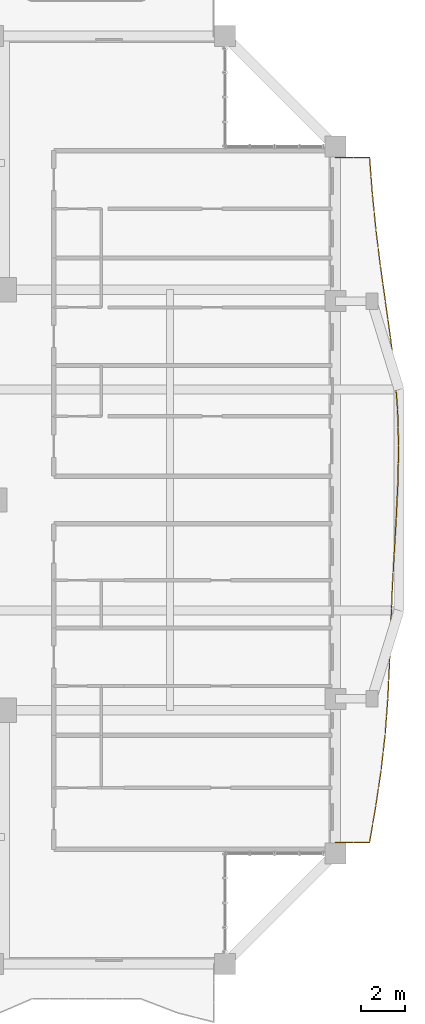
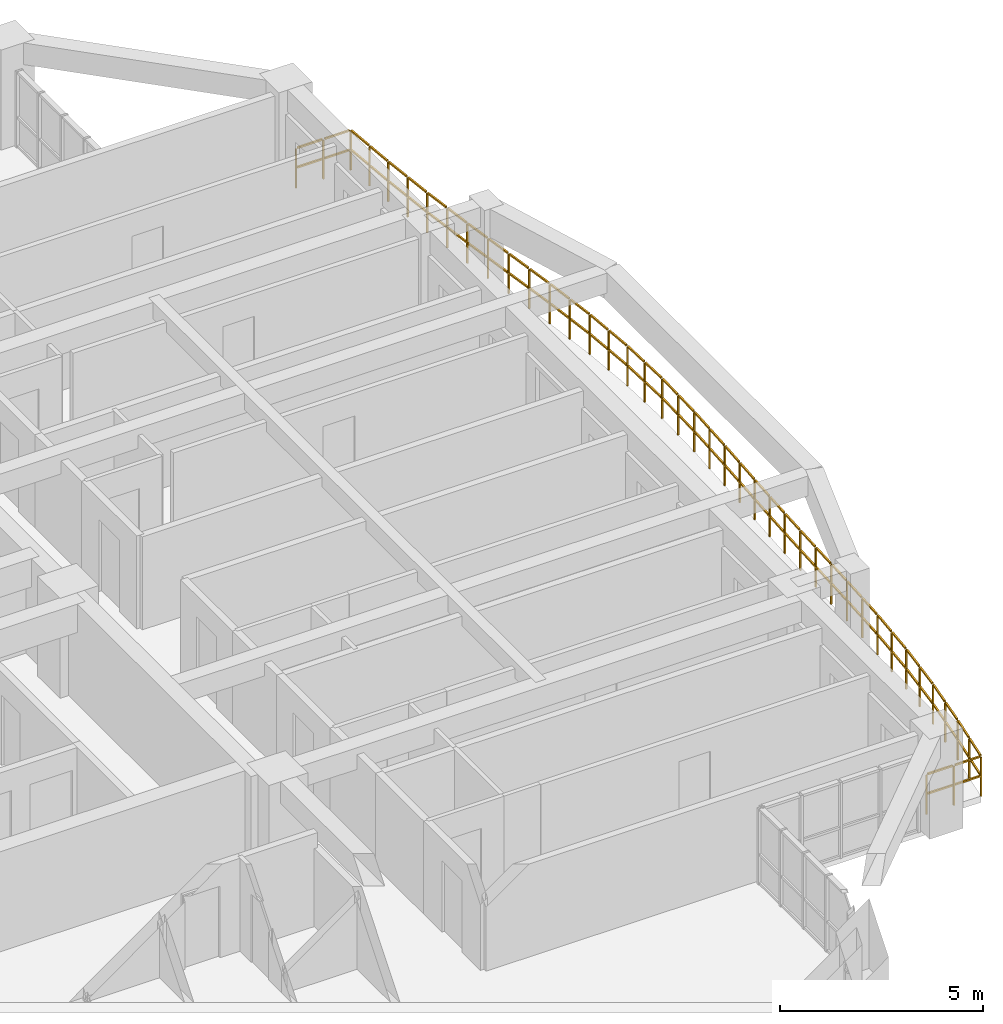
# One storey, part 23 of 24: 1 railing.
"""IFC4 building model written with IfcOpenShell, lengths in metres."""

from ifc_helpers import new_model, si_unit, direction, frame, origin, origin_2d, place, context, subcontext, project, spatial, rectangle, extrude, material, type_object, element, save


model = new_model("IFC4")

# Units and contexts
model_context = context("Model", 3, precision=1e-05, world=origin(), true_north=direction((0.0, 1.0)))
body_context = subcontext(model_context, "Body", "Model", "MODEL_VIEW")
ifc_project = project(units=[si_unit("LENGTHUNIT", "METRE"), si_unit("AREAUNIT", "SQUARE_METRE"), si_unit("VOLUMEUNIT", "CUBIC_METRE"), si_unit("PLANEANGLEUNIT", "RADIAN"), si_unit("MASSUNIT", "GRAM", prefix="KILO")], contexts=[model_context])

# Site, building, storey
site_placement = place(None, origin())
site = spatial("IfcSite", under=ifc_project, at=site_placement, CompositionType="ELEMENT")
building_placement = place(site_placement, origin())
building = spatial("IfcBuilding", under=site, at=building_placement, Name="Saelheon Loggia Tower", CompositionType="ELEMENT")
storey_placement = place(building_placement, frame((0.0, 0.0, 166.0)))
storey = spatial("IfcBuildingStorey", under=building, at=storey_placement, Name="L52", CompositionType="ELEMENT", Elevation=166.0)

# Railing
ifc_material = material(Name="Architectural Precast Concrete and Laminated Glass Guard", Category="concrete")
railing_type = type_object("IfcRailingType", Name="Guard_Loggia_RL_LOG", PredefinedType="BALUSTRADE", material=ifc_material)
railing_placement = place(storey_placement, frame((60.0, 11.5, 0.0)))
element("IfcRailing", 1, at=railing_placement, inside=storey, type_object=railing_type, Name="L52 East Loggia Balustrade", PredefinedType="BALUSTRADE", context=body_context, shape_type="SweptSolid", body=[
    extrude(rectangle(XDim=0.048095703125, YDim=0.048095703125, at=origin_2d()), frame((0.033203125, 0.0, 1.19580078125), z_axis=(1.0, 0.0, 0.0), x_axis=(0.0, 1.0, 0.0)), (0.0, 0.0, 1.0), 0.70849609375),
    extrude(rectangle(XDim=0.048095703125, YDim=0.048095703125, at=origin_2d()), frame((0.033203125, 0.0, 0.60986328125), z_axis=(1.0, 0.0, 0.0), x_axis=(0.0, 1.0, 0.0)), (0.0, 0.0, 1.0), 0.70849609375),
    extrude(rectangle(XDim=0.048095703125, YDim=0.048095703125, at=origin_2d()), frame((0.808349609375, 0.0, 1.19580078125), z_axis=(1.0, 0.0, 0.0), x_axis=(0.0, 1.0, 0.0)), (0.0, 0.0, 1.0), 0.70849609375),
    extrude(rectangle(XDim=0.048095703125, YDim=0.048095703125, at=origin_2d()), frame((0.808349609375, 0.0, 0.60986328125), z_axis=(1.0, 0.0, 0.0), x_axis=(0.0, 1.0, 0.0)), (0.0, 0.0, 1.0), 0.70849609375),
    extrude(rectangle(XDim=0.048095703125, YDim=0.048095703125, at=origin_2d()), frame((1.5556640625, 0.03271484375, 1.19580078125), z_axis=(0.168583084277, 0.985687447265, 0.0), x_axis=(-0.985687447265, 0.168583084277, 0.0)), (0.0, 0.0, 1.0), 0.76123046875),
    extrude(rectangle(XDim=0.048095703125, YDim=0.048095703125, at=origin_2d()), frame((1.5556640625, 0.03271484375, 0.60986328125), z_axis=(0.168583084277, 0.985687447265, 0.0), x_axis=(-0.985687447265, 0.168583084277, 0.0)), (0.0, 0.0, 1.0), 0.76123046875),
    extrude(rectangle(XDim=0.048095703125, YDim=0.048095703125, at=origin_2d()), frame((1.695068359375, 0.8486328125, 1.19580078125), z_axis=(0.168583084277, 0.985687447265, 0.0), x_axis=(-0.985687447265, 0.168583084277, 0.0)), (0.0, 0.0, 1.0), 0.76123046875),
    extrude(rectangle(XDim=0.048095703125, YDim=0.048095703125, at=origin_2d()), frame((1.695068359375, 0.8486328125, 0.60986328125), z_axis=(0.168583084277, 0.985687447265, 0.0), x_axis=(-0.985687447265, 0.168583084277, 0.0)), (0.0, 0.0, 1.0), 0.76123046875),
    extrude(rectangle(XDim=0.048095703125, YDim=0.048095703125, at=origin_2d()), frame((1.833984375, 1.66455078125, 1.19580078125), z_axis=(0.147262012595, 0.989097517764, 0.0), x_axis=(-0.989097517764, 0.147262012595, 0.0)), (0.0, 0.0, 1.0), 0.75830078125),
    extrude(rectangle(XDim=0.048095703125, YDim=0.048095703125, at=origin_2d()), frame((1.833984375, 1.66455078125, 0.60986328125), z_axis=(0.147262012595, 0.989097517764, 0.0), x_axis=(-0.989097517764, 0.147262012595, 0.0)), (0.0, 0.0, 1.0), 0.75830078125),
    extrude(rectangle(XDim=0.048095703125, YDim=0.048095703125, at=origin_2d()), frame((1.95556640625, 2.480224609375, 1.19580078125), z_axis=(0.147262012595, 0.989097517764, 0.0), x_axis=(-0.989097517764, 0.147262012595, 0.0)), (0.0, 0.0, 1.0), 0.75830078125),
    extrude(rectangle(XDim=0.048095703125, YDim=0.048095703125, at=origin_2d()), frame((1.95556640625, 2.480224609375, 0.60986328125), z_axis=(0.147262012595, 0.989097517764, 0.0), x_axis=(-0.989097517764, 0.147262012595, 0.0)), (0.0, 0.0, 1.0), 0.75830078125),
    extrude(rectangle(XDim=0.048095703125, YDim=0.048095703125, at=origin_2d()), frame((2.07568359375, 3.296142578125, 1.19580078125), z_axis=(0.111671794523, 0.993745143539, 0.0), x_axis=(-0.993745143539, 0.111671794523, 0.0)), (0.0, 0.0, 1.0), 0.75439453125),
    extrude(rectangle(XDim=0.048095703125, YDim=0.048095703125, at=origin_2d()), frame((2.07568359375, 3.296142578125, 0.60986328125), z_axis=(0.111671794523, 0.993745143539, 0.0), x_axis=(-0.993745143539, 0.111671794523, 0.0)), (0.0, 0.0, 1.0), 0.75439453125),
    extrude(rectangle(XDim=0.048095703125, YDim=0.048095703125, at=origin_2d()), frame((2.16748046875, 4.112060546875, 1.19580078125), z_axis=(0.111671794523, 0.993745143539, 0.0), x_axis=(-0.993745143539, 0.111671794523, 0.0)), (0.0, 0.0, 1.0), 0.75439453125),
    extrude(rectangle(XDim=0.048095703125, YDim=0.048095703125, at=origin_2d()), frame((2.16748046875, 4.112060546875, 0.60986328125), z_axis=(0.111671794523, 0.993745143539, 0.0), x_axis=(-0.993745143539, 0.111671794523, 0.0)), (0.0, 0.0, 1.0), 0.75439453125),
    extrude(rectangle(XDim=0.048095703125, YDim=0.048095703125, at=origin_2d()), frame((2.2578125, 4.927978515625, 1.19580078125), z_axis=(0.074162999853, 0.997246132834, 0.0), x_axis=(-0.997246132834, 0.074162999853, 0.0)), (0.0, 0.0, 1.0), 0.75146484375),
    extrude(rectangle(XDim=0.048095703125, YDim=0.048095703125, at=origin_2d()), frame((2.2578125, 4.927978515625, 0.60986328125), z_axis=(0.074162999853, 0.997246132834, 0.0), x_axis=(-0.997246132834, 0.074162999853, 0.0)), (0.0, 0.0, 1.0), 0.75146484375),
    extrude(rectangle(XDim=0.048095703125, YDim=0.048095703125, at=origin_2d()), frame((2.318603515625, 5.74365234375, 1.19580078125), z_axis=(0.074162999853, 0.997246132834, 0.0), x_axis=(-0.997246132834, 0.074162999853, 0.0)), (0.0, 0.0, 1.0), 0.75146484375),
    extrude(rectangle(XDim=0.048095703125, YDim=0.048095703125, at=origin_2d()), frame((2.318603515625, 5.74365234375, 0.60986328125), z_axis=(0.074162999853, 0.997246132834, 0.0), x_axis=(-0.997246132834, 0.074162999853, 0.0)), (0.0, 0.0, 1.0), 0.75146484375),
    extrude(rectangle(XDim=0.048095703125, YDim=0.048095703125, at=origin_2d()), frame((2.378173828125, 6.5595703125, 1.19580078125), z_axis=(0.04633652921, 0.99892588617, 0.0), x_axis=(-0.99892588617, 0.04633652921, 0.0)), (0.0, 0.0, 1.0), 0.750244140625),
    extrude(rectangle(XDim=0.048095703125, YDim=0.048095703125, at=origin_2d()), frame((2.378173828125, 6.5595703125, 0.60986328125), z_axis=(0.04633652921, 0.99892588617, 0.0), x_axis=(-0.99892588617, 0.04633652921, 0.0)), (0.0, 0.0, 1.0), 0.750244140625),
    extrude(rectangle(XDim=0.048095703125, YDim=0.048095703125, at=origin_2d()), frame((2.416015625, 7.375244140625, 1.19580078125), z_axis=(0.04633652921, 0.99892588617, 0.0), x_axis=(-0.99892588617, 0.04633652921, 0.0)), (0.0, 0.0, 1.0), 0.750244140625),
    extrude(rectangle(XDim=0.048095703125, YDim=0.048095703125, at=origin_2d()), frame((2.416015625, 7.375244140625, 0.60986328125), z_axis=(0.04633652921, 0.99892588617, 0.0), x_axis=(-0.99892588617, 0.04633652921, 0.0)), (0.0, 0.0, 1.0), 0.750244140625),
    extrude(rectangle(XDim=0.048095703125, YDim=0.048095703125, at=origin_2d()), frame((2.45361328125, 8.191162109375, 1.19580078125), z_axis=(0.035440836595, 0.999371776218, 0.0), x_axis=(-0.999371776218, 0.035440836595, 0.0)), (0.0, 0.0, 1.0), 0.749755859375),
    extrude(rectangle(XDim=0.048095703125, YDim=0.048095703125, at=origin_2d()), frame((2.45361328125, 8.191162109375, 0.60986328125), z_axis=(0.035440836595, 0.999371776218, 0.0), x_axis=(-0.999371776218, 0.035440836595, 0.0)), (0.0, 0.0, 1.0), 0.749755859375),
    extrude(rectangle(XDim=0.048095703125, YDim=0.048095703125, at=origin_2d()), frame((2.482421875, 9.007080078125, 1.19580078125), z_axis=(0.035440836595, 0.999371776218, 0.0), x_axis=(-0.999371776218, 0.035440836595, 0.0)), (0.0, 0.0, 1.0), 0.749755859375),
    extrude(rectangle(XDim=0.048095703125, YDim=0.048095703125, at=origin_2d()), frame((2.482421875, 9.007080078125, 0.60986328125), z_axis=(0.035440836595, 0.999371776218, 0.0), x_axis=(-0.999371776218, 0.035440836595, 0.0)), (0.0, 0.0, 1.0), 0.749755859375),
    extrude(rectangle(XDim=0.048095703125, YDim=0.048095703125, at=origin_2d()), frame((2.511474609375, 9.82275390625, 1.19580078125), z_axis=(0.039920270214, 0.999202868304, 0.0), x_axis=(-0.999202868304, 0.039920270214, 0.0)), (0.0, 0.0, 1.0), 0.75),
    extrude(rectangle(XDim=0.048095703125, YDim=0.048095703125, at=origin_2d()), frame((2.511474609375, 9.82275390625, 0.60986328125), z_axis=(0.039920270214, 0.999202868304, 0.0), x_axis=(-0.999202868304, 0.039920270214, 0.0)), (0.0, 0.0, 1.0), 0.75),
    extrude(rectangle(XDim=0.048095703125, YDim=0.048095703125, at=origin_2d()), frame((2.544189453125, 10.638671875, 1.19580078125), z_axis=(0.039920270214, 0.999202868304, 0.0), x_axis=(-0.999202868304, 0.039920270214, 0.0)), (0.0, 0.0, 1.0), 0.75),
    extrude(rectangle(XDim=0.048095703125, YDim=0.048095703125, at=origin_2d()), frame((2.544189453125, 10.638671875, 0.60986328125), z_axis=(0.039920270214, 0.999202868304, 0.0), x_axis=(-0.999202868304, 0.039920270214, 0.0)), (0.0, 0.0, 1.0), 0.75),
    extrude(rectangle(XDim=0.048095703125, YDim=0.048095703125, at=origin_2d()), frame((2.5771484375, 11.454345703125, 1.19580078125), z_axis=(0.051264440906, 0.998685114087, 0.0), x_axis=(-0.998685114087, 0.051264440906, 0.0)), (0.0, 0.0, 1.0), 0.750244140625),
    extrude(rectangle(XDim=0.048095703125, YDim=0.048095703125, at=origin_2d()), frame((2.5771484375, 11.454345703125, 0.60986328125), z_axis=(0.051264440906, 0.998685114087, 0.0), x_axis=(-0.998685114087, 0.051264440906, 0.0)), (0.0, 0.0, 1.0), 0.750244140625),
    extrude(rectangle(XDim=0.048095703125, YDim=0.048095703125, at=origin_2d()), frame((2.618896484375, 12.27001953125, 1.19580078125), z_axis=(0.051264440906, 0.998685114087, 0.0), x_axis=(-0.998685114087, 0.051264440906, 0.0)), (0.0, 0.0, 1.0), 0.750244140625),
    extrude(rectangle(XDim=0.048095703125, YDim=0.048095703125, at=origin_2d()), frame((2.618896484375, 12.27001953125, 0.60986328125), z_axis=(0.051264440906, 0.998685114087, 0.0), x_axis=(-0.998685114087, 0.051264440906, 0.0)), (0.0, 0.0, 1.0), 0.750244140625),
    extrude(rectangle(XDim=0.048095703125, YDim=0.048095703125, at=origin_2d()), frame((2.6611328125, 13.085693359375, 1.19580078125), z_axis=(0.057066808054, 0.998370361849, 0.0), x_axis=(-0.998370361849, 0.057066808054, 0.0)), (0.0, 0.0, 1.0), 0.750732421875),
    extrude(rectangle(XDim=0.048095703125, YDim=0.048095703125, at=origin_2d()), frame((2.6611328125, 13.085693359375, 0.60986328125), z_axis=(0.057066808054, 0.998370361849, 0.0), x_axis=(-0.998370361849, 0.057066808054, 0.0)), (0.0, 0.0, 1.0), 0.750732421875),
    extrude(rectangle(XDim=0.048095703125, YDim=0.048095703125, at=origin_2d()), frame((2.707763671875, 13.9013671875, 1.19580078125), z_axis=(0.057066808054, 0.998370361849, 0.0), x_axis=(-0.998370361849, 0.057066808054, 0.0)), (0.0, 0.0, 1.0), 0.750732421875),
    extrude(rectangle(XDim=0.048095703125, YDim=0.048095703125, at=origin_2d()), frame((2.707763671875, 13.9013671875, 0.60986328125), z_axis=(0.057066808054, 0.998370361849, 0.0), x_axis=(-0.998370361849, 0.057066808054, 0.0)), (0.0, 0.0, 1.0), 0.750732421875),
    extrude(rectangle(XDim=0.048095703125, YDim=0.048095703125, at=origin_2d()), frame((2.75390625, 14.71728515625, 1.19580078125), z_axis=(0.047373442202, 0.998877248201, 0.0), x_axis=(-0.998877248201, 0.047373442202, 0.0)), (0.0, 0.0, 1.0), 0.75048828125),
    extrude(rectangle(XDim=0.048095703125, YDim=0.048095703125, at=origin_2d()), frame((2.75390625, 14.71728515625, 0.60986328125), z_axis=(0.047373442202, 0.998877248201, 0.0), x_axis=(-0.998877248201, 0.047373442202, 0.0)), (0.0, 0.0, 1.0), 0.75048828125),
    extrude(rectangle(XDim=0.048095703125, YDim=0.048095703125, at=origin_2d()), frame((2.792724609375, 15.533203125, 1.19580078125), z_axis=(0.047373442202, 0.998877248201, 0.0), x_axis=(-0.998877248201, 0.047373442202, 0.0)), (0.0, 0.0, 1.0), 0.75048828125),
    extrude(rectangle(XDim=0.048095703125, YDim=0.048095703125, at=origin_2d()), frame((2.792724609375, 15.533203125, 0.60986328125), z_axis=(0.047373442202, 0.998877248201, 0.0), x_axis=(-0.998877248201, 0.047373442202, 0.0)), (0.0, 0.0, 1.0), 0.75048828125),
    extrude(rectangle(XDim=0.048095703125, YDim=0.048095703125, at=origin_2d()), frame((2.830322265625, 16.34912109375, 1.19580078125), z_axis=(0.017803552147, 0.999841504205, 0.0), x_axis=(-0.999841504205, 0.017803552147, 0.0)), (0.0, 0.0, 1.0), 0.74951171875),
    extrude(rectangle(XDim=0.048095703125, YDim=0.048095703125, at=origin_2d()), frame((2.830322265625, 16.34912109375, 0.60986328125), z_axis=(0.017803552147, 0.999841504205, 0.0), x_axis=(-0.999841504205, 0.017803552147, 0.0)), (0.0, 0.0, 1.0), 0.74951171875),
    extrude(rectangle(XDim=0.048095703125, YDim=0.048095703125, at=origin_2d()), frame((2.844970703125, 17.1650390625, 1.19580078125), z_axis=(0.017803552147, 0.999841504205, 0.0), x_axis=(-0.999841504205, 0.017803552147, 0.0)), (0.0, 0.0, 1.0), 0.74951171875),
    extrude(rectangle(XDim=0.048095703125, YDim=0.048095703125, at=origin_2d()), frame((2.844970703125, 17.1650390625, 0.60986328125), z_axis=(0.017803552147, 0.999841504205, 0.0), x_axis=(-0.999841504205, 0.017803552147, 0.0)), (0.0, 0.0, 1.0), 0.74951171875),
    extrude(rectangle(XDim=0.048095703125, YDim=0.048095703125, at=origin_2d()), frame((2.85791015625, 17.980712890625, 1.19580078125), z_axis=(-0.027077766049, 0.999633330069, 0.0), x_axis=(-0.999633330069, -0.027077766049, 0.0)), (0.0, 0.0, 1.0), 0.74951171875),
    extrude(rectangle(XDim=0.048095703125, YDim=0.048095703125, at=origin_2d()), frame((2.85791015625, 17.980712890625, 0.60986328125), z_axis=(-0.027077766049, 0.999633330069, 0.0), x_axis=(-0.999633330069, -0.027077766049, 0.0)), (0.0, 0.0, 1.0), 0.74951171875),
    extrude(rectangle(XDim=0.048095703125, YDim=0.048095703125, at=origin_2d()), frame((2.8359375, 18.79638671875, 1.19580078125), z_axis=(-0.027077766049, 0.999633330069, 0.0), x_axis=(-0.999633330069, -0.027077766049, 0.0)), (0.0, 0.0, 1.0), 0.74951171875),
    extrude(rectangle(XDim=0.048095703125, YDim=0.048095703125, at=origin_2d()), frame((2.8359375, 18.79638671875, 0.60986328125), z_axis=(-0.027077766049, 0.999633330069, 0.0), x_axis=(-0.999633330069, -0.027077766049, 0.0)), (0.0, 0.0, 1.0), 0.74951171875),
    extrude(rectangle(XDim=0.048095703125, YDim=0.048095703125, at=origin_2d()), frame((2.812255859375, 19.612060546875, 1.19580078125), z_axis=(-0.07668509002, 0.997055363041, 0.0), x_axis=(-0.997055363041, -0.07668509002, 0.0)), (0.0, 0.0, 1.0), 0.751708984375),
    extrude(rectangle(XDim=0.048095703125, YDim=0.048095703125, at=origin_2d()), frame((2.812255859375, 19.612060546875, 0.60986328125), z_axis=(-0.07668509002, 0.997055363041, 0.0), x_axis=(-0.997055363041, -0.07668509002, 0.0)), (0.0, 0.0, 1.0), 0.751708984375),
    extrude(rectangle(XDim=0.048095703125, YDim=0.048095703125, at=origin_2d()), frame((2.74951171875, 20.427734375, 1.19580078125), z_axis=(-0.07668509002, 0.997055363041, 0.0), x_axis=(-0.997055363041, -0.07668509002, 0.0)), (0.0, 0.0, 1.0), 0.751708984375),
    extrude(rectangle(XDim=0.048095703125, YDim=0.048095703125, at=origin_2d()), frame((2.74951171875, 20.427734375, 0.60986328125), z_axis=(-0.07668509002, 0.997055363041, 0.0), x_axis=(-0.997055363041, -0.07668509002, 0.0)), (0.0, 0.0, 1.0), 0.751708984375),
    extrude(rectangle(XDim=0.048095703125, YDim=0.048095703125, at=origin_2d()), frame((2.685302734375, 21.243408203125, 1.19580078125), z_axis=(-0.117393022893, 0.993085534169, 0.0), x_axis=(-0.993085534169, -0.117393022893, 0.0)), (0.0, 0.0, 1.0), 0.755126953125),
    extrude(rectangle(XDim=0.048095703125, YDim=0.048095703125, at=origin_2d()), frame((2.685302734375, 21.243408203125, 0.60986328125), z_axis=(-0.117393022893, 0.993085534169, 0.0), x_axis=(-0.993085534169, -0.117393022893, 0.0)), (0.0, 0.0, 1.0), 0.755126953125),
    extrude(rectangle(XDim=0.048095703125, YDim=0.048095703125, at=origin_2d()), frame((2.5888671875, 22.059326171875, 1.19580078125), z_axis=(-0.117393022893, 0.993085534169, 0.0), x_axis=(-0.993085534169, -0.117393022893, 0.0)), (0.0, 0.0, 1.0), 0.755126953125),
    extrude(rectangle(XDim=0.048095703125, YDim=0.048095703125, at=origin_2d()), frame((2.5888671875, 22.059326171875, 0.60986328125), z_axis=(-0.117393022893, 0.993085534169, 0.0), x_axis=(-0.993085534169, -0.117393022893, 0.0)), (0.0, 0.0, 1.0), 0.755126953125),
    extrude(rectangle(XDim=0.048095703125, YDim=0.048095703125, at=origin_2d()), frame((2.49169921875, 22.875, 1.19580078125), z_axis=(-0.138848404574, 0.990313647562, 0.0), x_axis=(-0.990313647562, -0.138848404574, 0.0)), (0.0, 0.0, 1.0), 0.75732421875),
    extrude(rectangle(XDim=0.048095703125, YDim=0.048095703125, at=origin_2d()), frame((2.49169921875, 22.875, 0.60986328125), z_axis=(-0.138848404574, 0.990313647562, 0.0), x_axis=(-0.990313647562, -0.138848404574, 0.0)), (0.0, 0.0, 1.0), 0.75732421875),
    extrude(rectangle(XDim=0.048095703125, YDim=0.048095703125, at=origin_2d()), frame((2.37744140625, 23.690673828125, 1.19580078125), z_axis=(-0.138848404574, 0.990313647562, 0.0), x_axis=(-0.990313647562, -0.138848404574, 0.0)), (0.0, 0.0, 1.0), 0.75732421875),
    extrude(rectangle(XDim=0.048095703125, YDim=0.048095703125, at=origin_2d()), frame((2.37744140625, 23.690673828125, 0.60986328125), z_axis=(-0.138848404574, 0.990313647562, 0.0), x_axis=(-0.990313647562, -0.138848404574, 0.0)), (0.0, 0.0, 1.0), 0.75732421875),
    extrude(rectangle(XDim=0.048095703125, YDim=0.048095703125, at=origin_2d()), frame((2.262939453125, 24.506591796875, 1.19580078125), z_axis=(-0.138993727262, 0.990293261505, 0.0), x_axis=(-0.990293261505, -0.138993727262, 0.0)), (0.0, 0.0, 1.0), 0.75732421875),
    extrude(rectangle(XDim=0.048095703125, YDim=0.048095703125, at=origin_2d()), frame((2.262939453125, 24.506591796875, 0.60986328125), z_axis=(-0.138993727262, 0.990293261505, 0.0), x_axis=(-0.990293261505, -0.138993727262, 0.0)), (0.0, 0.0, 1.0), 0.75732421875),
    extrude(rectangle(XDim=0.048095703125, YDim=0.048095703125, at=origin_2d()), frame((2.1484375, 25.322265625, 1.19580078125), z_axis=(-0.138993727262, 0.990293261505, 0.0), x_axis=(-0.990293261505, -0.138993727262, 0.0)), (0.0, 0.0, 1.0), 0.75732421875),
    extrude(rectangle(XDim=0.048095703125, YDim=0.048095703125, at=origin_2d()), frame((2.1484375, 25.322265625, 0.60986328125), z_axis=(-0.138993727262, 0.990293261505, 0.0), x_axis=(-0.990293261505, -0.138993727262, 0.0)), (0.0, 0.0, 1.0), 0.75732421875),
    extrude(rectangle(XDim=0.048095703125, YDim=0.048095703125, at=origin_2d()), frame((2.034423828125, 26.13818359375, 1.19580078125), z_axis=(-0.122224972711, 0.992502421179, 0.0), x_axis=(-0.992502421179, -0.122224972711, 0.0)), (0.0, 0.0, 1.0), 0.75537109375),
    extrude(rectangle(XDim=0.048095703125, YDim=0.048095703125, at=origin_2d()), frame((2.034423828125, 26.13818359375, 0.60986328125), z_axis=(-0.122224972711, 0.992502421179, 0.0), x_axis=(-0.992502421179, -0.122224972711, 0.0)), (0.0, 0.0, 1.0), 0.75537109375),
    extrude(rectangle(XDim=0.048095703125, YDim=0.048095703125, at=origin_2d()), frame((1.93408203125, 26.9541015625, 1.19580078125), z_axis=(-0.122224972711, 0.992502421179, 0.0), x_axis=(-0.992502421179, -0.122224972711, 0.0)), (0.0, 0.0, 1.0), 0.75537109375),
    extrude(rectangle(XDim=0.048095703125, YDim=0.048095703125, at=origin_2d()), frame((1.93408203125, 26.9541015625, 0.60986328125), z_axis=(-0.122224972711, 0.992502421179, 0.0), x_axis=(-0.992502421179, -0.122224972711, 0.0)), (0.0, 0.0, 1.0), 0.75537109375),
    extrude(rectangle(XDim=0.048095703125, YDim=0.048095703125, at=origin_2d()), frame((1.83447265625, 27.769775390625, 1.19580078125), z_axis=(-0.099164643461, 0.995071039417, 0.0), x_axis=(-0.995071039417, -0.099164643461, 0.0)), (0.0, 0.0, 1.0), 0.75341796875),
    extrude(rectangle(XDim=0.048095703125, YDim=0.048095703125, at=origin_2d()), frame((1.83447265625, 27.769775390625, 0.60986328125), z_axis=(-0.099164643461, 0.995071039417, 0.0), x_axis=(-0.995071039417, -0.099164643461, 0.0)), (0.0, 0.0, 1.0), 0.75341796875),
    extrude(rectangle(XDim=0.048095703125, YDim=0.048095703125, at=origin_2d()), frame((1.753173828125, 28.585693359375, 1.19580078125), z_axis=(-0.099164643461, 0.995071039417, 0.0), x_axis=(-0.995071039417, -0.099164643461, 0.0)), (0.0, 0.0, 1.0), 0.75341796875),
    extrude(rectangle(XDim=0.048095703125, YDim=0.048095703125, at=origin_2d()), frame((1.753173828125, 28.585693359375, 0.60986328125), z_axis=(-0.099164643461, 0.995071039417, 0.0), x_axis=(-0.995071039417, -0.099164643461, 0.0)), (0.0, 0.0, 1.0), 0.75341796875),
    extrude(rectangle(XDim=0.048095703125, YDim=0.048095703125, at=origin_2d()), frame((1.672607421875, 29.401611328125, 1.19580078125), z_axis=(-0.076388448974, 0.997078133781, 0.0), x_axis=(-0.997078133781, -0.076388448974, 0.0)), (0.0, 0.0, 1.0), 0.751708984375),
    extrude(rectangle(XDim=0.048095703125, YDim=0.048095703125, at=origin_2d()), frame((1.672607421875, 29.401611328125, 0.60986328125), z_axis=(-0.076388448974, 0.997078133781, 0.0), x_axis=(-0.997078133781, -0.076388448974, 0.0)), (0.0, 0.0, 1.0), 0.751708984375),
    extrude(rectangle(XDim=0.048095703125, YDim=0.048095703125, at=origin_2d()), frame((1.610107421875, 30.21728515625, 1.19580078125), z_axis=(-0.076388448974, 0.997078133781, 0.0), x_axis=(-0.997078133781, -0.076388448974, 0.0)), (0.0, 0.0, 1.0), 0.751708984375),
    extrude(rectangle(XDim=0.048095703125, YDim=0.048095703125, at=origin_2d()), frame((1.610107421875, 30.21728515625, 0.60986328125), z_axis=(-0.076388448974, 0.997078133781, 0.0), x_axis=(-0.997078133781, -0.076388448974, 0.0)), (0.0, 0.0, 1.0), 0.751708984375),
    extrude(rectangle(XDim=0.048095703125, YDim=0.048095703125, at=origin_2d()), frame((1.516845703125, 31.0, 1.19580078125), z_axis=(-1.0, 0.0, 0.0), x_axis=(0.0, -1.0, 0.0)), (0.0, 0.0, 1.0), 0.70849609375),
    extrude(rectangle(XDim=0.048095703125, YDim=0.048095703125, at=origin_2d()), frame((1.516845703125, 31.0, 0.60986328125), z_axis=(-1.0, 0.0, 0.0), x_axis=(0.0, -1.0, 0.0)), (0.0, 0.0, 1.0), 0.70849609375),
    extrude(rectangle(XDim=0.048095703125, YDim=0.048095703125, at=origin_2d()), frame((0.74169921875, 31.0, 1.19580078125), z_axis=(-1.0, 0.0, 0.0), x_axis=(0.0, -1.0, 0.0)), (0.0, 0.0, 1.0), 0.70849609375),
    extrude(rectangle(XDim=0.048095703125, YDim=0.048095703125, at=origin_2d()), frame((0.74169921875, 31.0, 0.60986328125), z_axis=(-1.0, 0.0, 0.0), x_axis=(0.0, -1.0, 0.0)), (0.0, 0.0, 1.0), 0.70849609375),
    extrude(rectangle(XDim=0.0419921875, YDim=0.0419921875, at=origin_2d()), origin(), (0.0, 0.0, 1.0), 1.16796875),
    extrude(rectangle(XDim=0.0419921875, YDim=0.0419921875, at=origin_2d()), frame((0.77490234375, 0.0, 0.0)), (0.0, 0.0, 1.0), 1.16796875),
    extrude(rectangle(XDim=0.0419921875, YDim=0.0419921875, at=origin_2d()), frame((1.550048828125, 0.0, 0.0)), (0.0, 0.0, 1.0), 1.16796875),
    extrude(rectangle(XDim=0.0419921875, YDim=0.0419921875, at=origin_2d()), frame((1.689453125, 0.81591796875, 0.0)), (0.0, 0.0, 1.0), 1.16796875),
    extrude(rectangle(XDim=0.0419921875, YDim=0.0419921875, at=origin_2d()), frame((1.8291015625, 1.631591796875, 0.0)), (0.0, 0.0, 1.0), 1.16796875),
    extrude(rectangle(XDim=0.0419921875, YDim=0.0419921875, at=origin_2d()), frame((1.95068359375, 2.447265625, 0.0)), (0.0, 0.0, 1.0), 1.16796875),
    extrude(rectangle(XDim=0.0419921875, YDim=0.0419921875, at=origin_2d()), frame((2.072021484375, 3.26318359375, 0.0)), (0.0, 0.0, 1.0), 1.16796875),
    extrude(rectangle(XDim=0.0419921875, YDim=0.0419921875, at=origin_2d()), frame((2.16357421875, 4.0791015625, 0.0)), (0.0, 0.0, 1.0), 1.16796875),
    extrude(rectangle(XDim=0.0419921875, YDim=0.0419921875, at=origin_2d()), frame((2.25537109375, 4.894775390625, 0.0)), (0.0, 0.0, 1.0), 1.16796875),
    extrude(rectangle(XDim=0.0419921875, YDim=0.0419921875, at=origin_2d()), frame((2.31591796875, 5.71044921875, 0.0)), (0.0, 0.0, 1.0), 1.16796875),
    extrude(rectangle(XDim=0.0419921875, YDim=0.0419921875, at=origin_2d()), frame((2.376708984375, 6.5263671875, 0.0)), (0.0, 0.0, 1.0), 1.16796875),
    extrude(rectangle(XDim=0.0419921875, YDim=0.0419921875, at=origin_2d()), frame((2.41455078125, 7.34228515625, 0.0)), (0.0, 0.0, 1.0), 1.16796875),
    extrude(rectangle(XDim=0.0419921875, YDim=0.0419921875, at=origin_2d()), frame((2.452392578125, 8.157958984375, 0.0)), (0.0, 0.0, 1.0), 1.16796875),
    extrude(rectangle(XDim=0.0419921875, YDim=0.0419921875, at=origin_2d()), frame((2.4814453125, 8.9736328125, 0.0)), (0.0, 0.0, 1.0), 1.16796875),
    extrude(rectangle(XDim=0.0419921875, YDim=0.0419921875, at=origin_2d()), frame((2.51025390625, 9.78955078125, 0.0)), (0.0, 0.0, 1.0), 1.16796875),
    extrude(rectangle(XDim=0.0419921875, YDim=0.0419921875, at=origin_2d()), frame((2.54296875, 10.60546875, 0.0)), (0.0, 0.0, 1.0), 1.16796875),
    extrude(rectangle(XDim=0.0419921875, YDim=0.0419921875, at=origin_2d()), frame((2.575439453125, 11.421142578125, 0.0)), (0.0, 0.0, 1.0), 1.16796875),
    extrude(rectangle(XDim=0.0419921875, YDim=0.0419921875, at=origin_2d()), frame((2.6171875, 12.23681640625, 0.0)), (0.0, 0.0, 1.0), 1.16796875),
    extrude(rectangle(XDim=0.0419921875, YDim=0.0419921875, at=origin_2d()), frame((2.6591796875, 13.052490234375, 0.0)), (0.0, 0.0, 1.0), 1.16796875),
    extrude(rectangle(XDim=0.0419921875, YDim=0.0419921875, at=origin_2d()), frame((2.705810546875, 13.8681640625, 0.0)), (0.0, 0.0, 1.0), 1.16796875),
    extrude(rectangle(XDim=0.0419921875, YDim=0.0419921875, at=origin_2d()), frame((2.75244140625, 14.68408203125, 0.0)), (0.0, 0.0, 1.0), 1.16796875),
    extrude(rectangle(XDim=0.0419921875, YDim=0.0419921875, at=origin_2d()), frame((2.791015625, 15.5, 0.0)), (0.0, 0.0, 1.0), 1.16796875),
    extrude(rectangle(XDim=0.0419921875, YDim=0.0419921875, at=origin_2d()), frame((2.829833984375, 16.31591796875, 0.0)), (0.0, 0.0, 1.0), 1.16796875),
    extrude(rectangle(XDim=0.0419921875, YDim=0.0419921875, at=origin_2d()), frame((2.84423828125, 17.1318359375, 0.0)), (0.0, 0.0, 1.0), 1.16796875),
    extrude(rectangle(XDim=0.0419921875, YDim=0.0419921875, at=origin_2d()), frame((2.85888671875, 17.947509765625, 0.0)), (0.0, 0.0, 1.0), 1.16796875),
    extrude(rectangle(XDim=0.0419921875, YDim=0.0419921875, at=origin_2d()), frame((2.8369140625, 18.76318359375, 0.0)), (0.0, 0.0, 1.0), 1.16796875),
    extrude(rectangle(XDim=0.0419921875, YDim=0.0419921875, at=origin_2d()), frame((2.814697265625, 19.578857421875, 0.0)), (0.0, 0.0, 1.0), 1.16796875),
    extrude(rectangle(XDim=0.0419921875, YDim=0.0419921875, at=origin_2d()), frame((2.751953125, 20.39453125, 0.0)), (0.0, 0.0, 1.0), 1.16796875),
    extrude(rectangle(XDim=0.0419921875, YDim=0.0419921875, at=origin_2d()), frame((2.689208984375, 21.21044921875, 0.0)), (0.0, 0.0, 1.0), 1.16796875),
    extrude(rectangle(XDim=0.0419921875, YDim=0.0419921875, at=origin_2d()), frame((2.5927734375, 22.0263671875, 0.0)), (0.0, 0.0, 1.0), 1.16796875),
    extrude(rectangle(XDim=0.0419921875, YDim=0.0419921875, at=origin_2d()), frame((2.496337890625, 22.842041015625, 0.0)), (0.0, 0.0, 1.0), 1.16796875),
    extrude(rectangle(XDim=0.0419921875, YDim=0.0419921875, at=origin_2d()), frame((2.3818359375, 23.65771484375, 0.0)), (0.0, 0.0, 1.0), 1.16796875),
    extrude(rectangle(XDim=0.0419921875, YDim=0.0419921875, at=origin_2d()), frame((2.267578125, 24.4736328125, 0.0)), (0.0, 0.0, 1.0), 1.16796875),
    extrude(rectangle(XDim=0.0419921875, YDim=0.0419921875, at=origin_2d()), frame((2.153076171875, 25.28955078125, 0.0)), (0.0, 0.0, 1.0), 1.16796875),
    extrude(rectangle(XDim=0.0419921875, YDim=0.0419921875, at=origin_2d()), frame((2.03857421875, 26.105224609375, 0.0)), (0.0, 0.0, 1.0), 1.16796875),
    extrude(rectangle(XDim=0.0419921875, YDim=0.0419921875, at=origin_2d()), frame((1.93798828125, 26.9208984375, 0.0)), (0.0, 0.0, 1.0), 1.16796875),
    extrude(rectangle(XDim=0.0419921875, YDim=0.0419921875, at=origin_2d()), frame((1.837646484375, 27.73681640625, 0.0)), (0.0, 0.0, 1.0), 1.16796875),
    extrude(rectangle(XDim=0.0419921875, YDim=0.0419921875, at=origin_2d()), frame((1.75634765625, 28.552734375, 0.0)), (0.0, 0.0, 1.0), 1.16796875),
    extrude(rectangle(XDim=0.0419921875, YDim=0.0419921875, at=origin_2d()), frame((1.675048828125, 29.368408203125, 0.0)), (0.0, 0.0, 1.0), 1.16796875),
    extrude(rectangle(XDim=0.0419921875, YDim=0.0419921875, at=origin_2d()), frame((1.612548828125, 30.18408203125, 0.0)), (0.0, 0.0, 1.0), 1.16796875),
    extrude(rectangle(XDim=0.0419921875, YDim=0.0419921875, at=origin_2d()), frame((1.550048828125, 31.0, 0.0)), (0.0, 0.0, 1.0), 1.16796875),
    extrude(rectangle(XDim=0.0419921875, YDim=0.0419921875, at=origin_2d()), frame((0.77490234375, 31.0, 0.0)), (0.0, 0.0, 1.0), 1.16796875),
    extrude(rectangle(XDim=0.0419921875, YDim=0.0419921875, at=origin_2d()), frame((0.0, 31.0, 0.0)), (0.0, 0.0, 1.0), 1.16796875),
])

save(model, "model.ifc")
